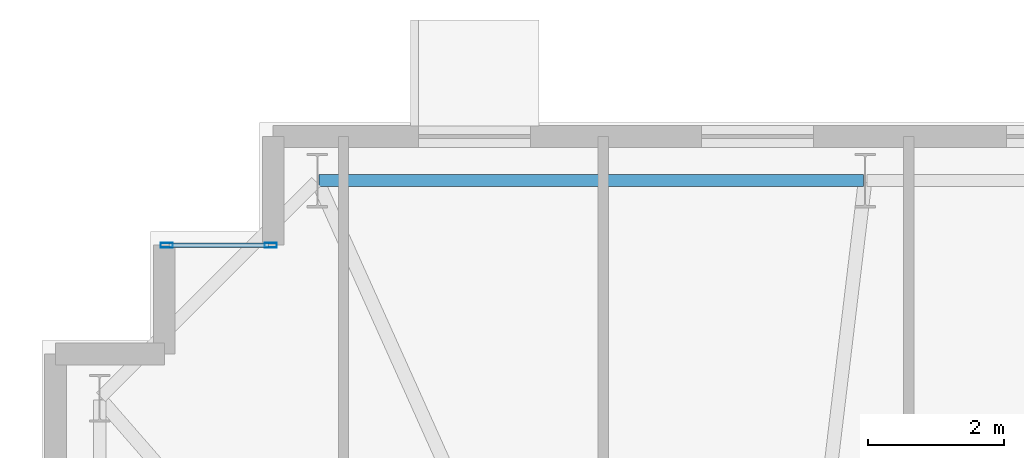
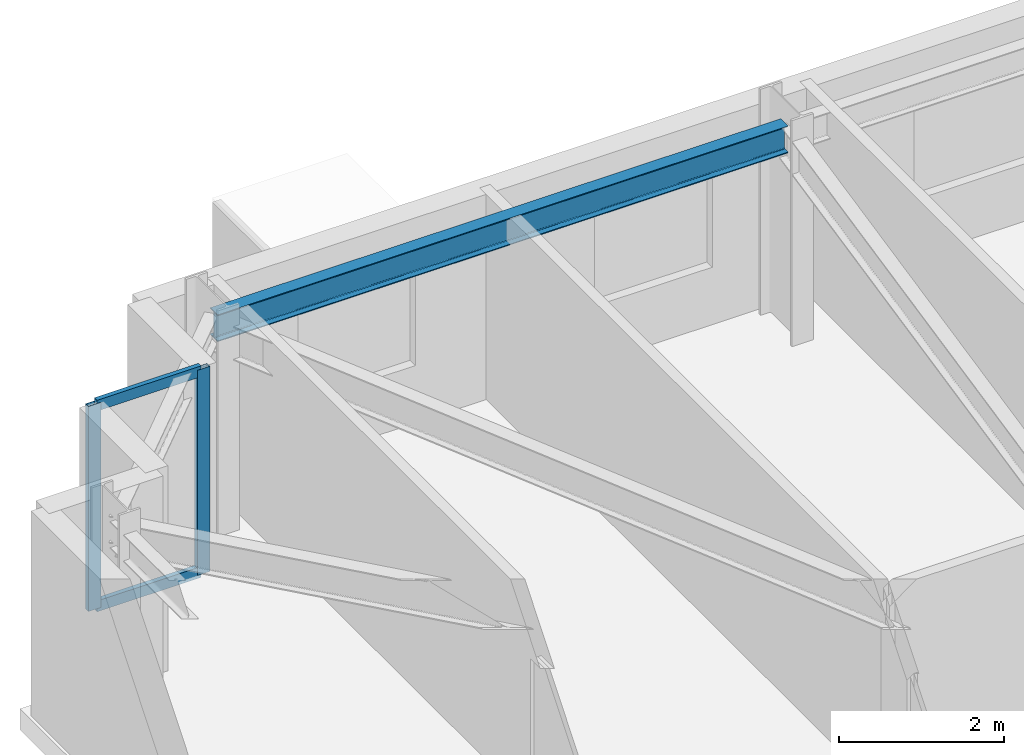
# One storey, part 7 of 17: 4 members, 1 beam, 1 element without a shape of its own.
"""IFC4 building model written with IfcOpenShell, lengths in metres."""

from ifc_helpers import new_model, si_unit, direction, frame, origin, origin_2d, place, context, subcontext, project, spatial, hollow_rectangle, i_section, extrude, material, layer, layer_set, material_profile, profile_set, type_object, element, aggregate, save


model = new_model("IFC4")

# Units and contexts
model_context = context("Model", 3, precision=1e-05, world=origin(), true_north=direction((0.0, 1.0)))
body_context = subcontext(model_context, "Body", "Model", "MODEL_VIEW")
ifc_project = project(units=[si_unit("LENGTHUNIT", "METRE"), si_unit("AREAUNIT", "SQUARE_METRE"), si_unit("VOLUMEUNIT", "CUBIC_METRE"), si_unit("PLANEANGLEUNIT", "RADIAN"), si_unit("MASSUNIT", "GRAM", prefix="KILO")], contexts=[model_context])

# Site, building, storey
site_placement = place(None, origin())
site = spatial("IfcSite", under=ifc_project, at=site_placement, CompositionType="ELEMENT")
building_placement = place(site_placement, origin())
building = spatial("IfcBuilding", under=site, at=building_placement, Name="Qobustan Lattice House", CompositionType="ELEMENT")
storey_placement = place(building_placement, frame((0.0, 0.0, 167.85009765625)))
storey = spatial("IfcBuildingStorey", under=building, at=storey_placement, Name="L47", CompositionType="ELEMENT", Elevation=167.85009765625)

# Beam
ifc_material_1 = material(Name="Steel S355", Category="steel")
ifc_material_profile_1 = material_profile(ifc_material_1, i_section(OverallWidth=0.179931640625, OverallDepth=0.39990234375, WebThickness=0.008544921875, FlangeThickness=0.013427734375, FilletRadius=0.02099609375, at=origin_2d()), Name="IPE400")
ifc_profile_set_1 = profile_set([ifc_material_profile_1], Name="Steel S355")
beam_type = type_object("IfcBeamType", Name="BM-SPD-IPE400", PredefinedType="SPANDREL", material=ifc_profile_set_1)
beam_placement = place(storey_placement, frame((-17.125, 19.75, 2.83984375), z_axis=(-1.0, 0.0, 0.0), x_axis=(0.0, -1.0, 0.0)))
element("IfcBeam", 1, at=beam_placement, inside=storey, type_object=beam_type, Name="L47 perimeter spandrel N6-N7", PredefinedType="SPANDREL", context=body_context, shape_type="SweptSolid", body=[
    extrude(i_section(OverallWidth=0.179931640625, OverallDepth=0.39990234375, WebThickness=0.008544921875, FlangeThickness=0.013427734375, FilletRadius=0.02099609375, at=origin_2d()), origin(), (0.0, 0.0, 1.0), 8.0),
])

# Curtain wall, members
ifc_material_2 = material(Name="Anodised aluminium and low-E glazing", Category="aluminium")
ifc_layer = layer(ifc_material_2, 0.219970703125)
ifc_layer_set = layer_set([ifc_layer], Name="Anodised aluminium and low-E glazing")
curtain_wall_type = type_object("IfcCurtainWallType", Name="CW-FAC-02", PredefinedType="USERDEFINED", material=ifc_layer_set)
curtain_wall_placement = place(storey_placement, origin())
curtain_wall = element("IfcCurtainWall", 2, at=curtain_wall_placement, inside=storey, type_object=curtain_wall_type, Name="L47 serrated corner faceted glazing 8", ObjectType="CURTAIN WALL", PredefinedType="USERDEFINED")
ifc_material_3 = material(Name="Anodised aluminium EN AW-6063 T6", Category="aluminium")
ifc_material_profile_2 = material_profile(ifc_material_3, hollow_rectangle(XDim=0.070068359375, YDim=0.179931640625, WallThickness=0.00439453125, at=origin_2d()), Name="CWM-180x70")
ifc_profile_set_2 = profile_set([ifc_material_profile_2], Name="Anodised aluminium EN AW-6063 T6")
member_type_1 = type_object("IfcMemberType", Name="CWM-STD-180", PredefinedType="MULLION", material=ifc_profile_set_2)
member_1_placement = place(storey_placement, frame((-27.364990234375, 18.800048828125, 0.0), z_axis=(0.0, 0.0, 1.0), x_axis=(0.0, 1.0, 0.0)))
member_1 = element("IfcMember", 3, at=member_1_placement, type_object=member_type_1, Name="CW-F2 mullion 1", PredefinedType="MULLION", context=body_context, shape_type="SweptSolid", body=[
    extrude(hollow_rectangle(XDim=0.070068359375, YDim=0.179931640625, WallThickness=0.00439453125, at=origin_2d()), origin(), (0.0, 0.0, 1.0), 3.039794921875),
])
member_2_placement = place(storey_placement, frame((-25.8349609375, 18.800048828125, 0.0), z_axis=(0.0, 0.0, 1.0), x_axis=(0.0, 1.0, 0.0)))
member_2 = element("IfcMember", 4, at=member_2_placement, type_object=member_type_1, Name="CW-F2 mullion 2", PredefinedType="MULLION", context=body_context, shape_type="SweptSolid", body=[
    extrude(hollow_rectangle(XDim=0.070068359375, YDim=0.179931640625, WallThickness=0.00439453125, at=origin_2d()), origin(), (0.0, 0.0, 1.0), 3.039794921875),
])
ifc_material_4 = material(Name="Anodised aluminium EN AW-6063 T6", Category="aluminium")
ifc_material_profile_3 = material_profile(ifc_material_4, hollow_rectangle(XDim=0.06494140625, YDim=0.159912109375, WallThickness=0.00390625, at=origin_2d()), Name="CWT-160x65")
ifc_profile_set_3 = profile_set([ifc_material_profile_3], Name="Anodised aluminium EN AW-6063 T6")
member_type_2 = type_object("IfcMemberType", Name="CWT-HOR-160", PredefinedType="USERDEFINED", material=ifc_profile_set_3)
member_3_placement = place(storey_placement, frame((-27.330078125, 18.800048828125, 0.032470703125), z_axis=(1.0, 0.0, 0.0), x_axis=(0.0, 1.0, 0.0)))
member_3 = element("IfcMember", 5, at=member_3_placement, type_object=member_type_2, Name="CW-F2 transom 1.1", ObjectType="TRANSOM", PredefinedType="USERDEFINED", context=body_context, shape_type="SweptSolid", body=[
    extrude(hollow_rectangle(XDim=0.06494140625, YDim=0.159912109375, WallThickness=0.00390625, at=origin_2d()), origin(), (0.0, 0.0, 1.0), 1.4599609375),
])
member_4_placement = place(storey_placement, frame((-27.330078125, 18.800048828125, 3.00732421875), z_axis=(1.0, 0.0, 0.0), x_axis=(0.0, 1.0, 0.0)))
member_4 = element("IfcMember", 6, at=member_4_placement, type_object=member_type_2, Name="CW-F2 transom 1.2", ObjectType="TRANSOM", PredefinedType="USERDEFINED", context=body_context, shape_type="SweptSolid", body=[
    extrude(hollow_rectangle(XDim=0.06494140625, YDim=0.159912109375, WallThickness=0.00390625, at=origin_2d()), origin(), (0.0, 0.0, 1.0), 1.4599609375),
])
aggregate(curtain_wall, [member_1, member_2, member_3, member_4])

save(model, "model.ifc")
